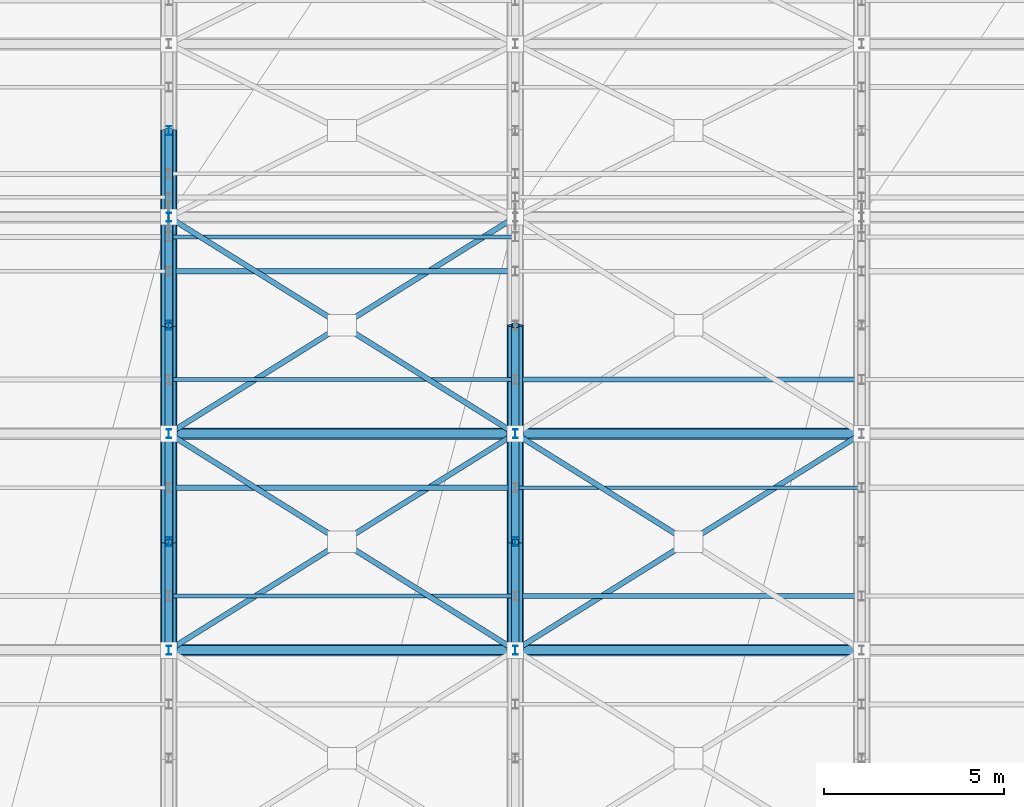
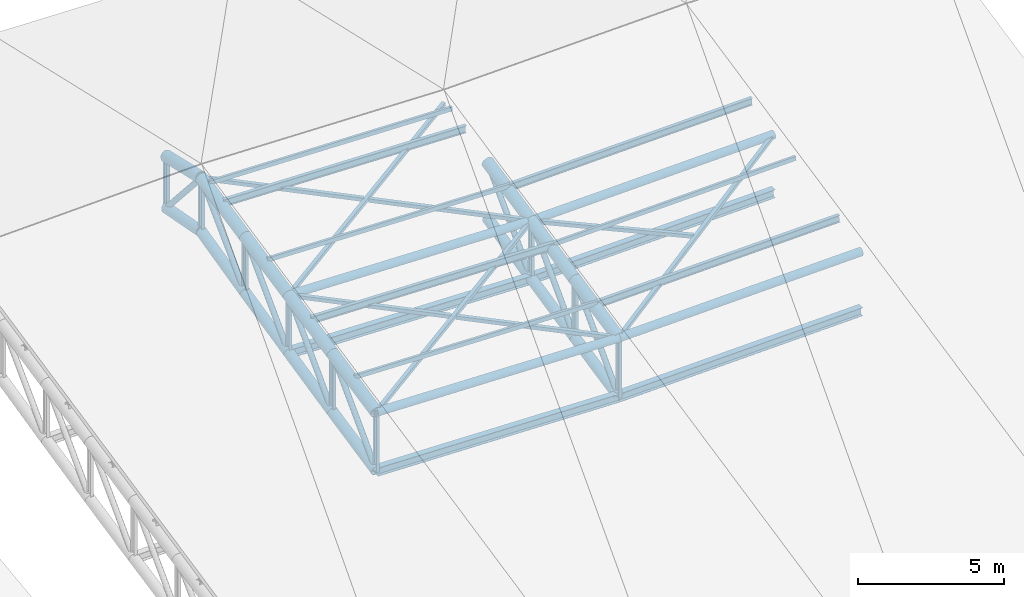
# One storey, part 46 of 109: 41 members, 16 beams.
"""IFC4 building model written with IfcOpenShell, lengths in metres."""

from ifc_helpers import new_model, si_unit, direction, frame, origin, origin_2d, place, context, subcontext, project, spatial, hollow_rectangle, hollow_circle, i_section, extrude, material, material_profile, profile_set, type_object, element, save


model = new_model("IFC4")

# Units and contexts
model_context = context("Model", 3, precision=1e-05, world=origin(), true_north=direction((0.0, 1.0)))
body_context = subcontext(model_context, "Body", "Model", "MODEL_VIEW")
ifc_project = project(units=[si_unit("LENGTHUNIT", "METRE"), si_unit("AREAUNIT", "SQUARE_METRE"), si_unit("VOLUMEUNIT", "CUBIC_METRE"), si_unit("PLANEANGLEUNIT", "RADIAN"), si_unit("MASSUNIT", "GRAM", prefix="KILO")], contexts=[model_context])

# Site, building, storey
site_placement = place(None, origin())
site = spatial("IfcSite", under=ifc_project, at=site_placement, CompositionType="ELEMENT")
building_placement = place(site_placement, origin())
building = spatial("IfcBuilding", under=site, at=building_placement, Name="Suirenkawa Promenade Aquatics Centre", CompositionType="ELEMENT")
storey_placement = place(building_placement, frame((0.0, 0.0, 22.800048828125)))
storey = spatial("IfcBuildingStorey", under=building, at=storey_placement, Name="ROOF", CompositionType="ELEMENT", Elevation=22.800048828125)

# Beams
ifc_material = material(Name="Steel IS 2062 E350 (Grade 350)", Category="steel")
ifc_material_profile_1 = material_profile(ifc_material, hollow_circle(Radius=0.202880859375, WallThickness=0.01806640625, at=origin_2d()), Name="CHS 406x18", Category="steel")
ifc_profile_set_1 = profile_set([ifc_material_profile_1], Name="Steel IS 2062 E350 (Grade 350)")
beam_type_1 = type_object("IfcBeamType", Name="BT-BC-CHS406", PredefinedType="BEAM", material=ifc_profile_set_1)
beam_1_placement = place(storey_placement, frame((165.60009765625, 74.39990234375, -6.16015625), z_axis=(0.0, 0.978259092623, 0.207386469424), x_axis=(-1.0, 0.0, 0.0)))
element("IfcBeam", 1, at=beam_1_placement, inside=storey, type_object=beam_type_1, Name="ROOF TRUSS V2 bottom chord BC-01 BM-2448", PredefinedType="BEAM", context=body_context, shape_type="SweptSolid", body=[
    extrude(hollow_circle(Radius=0.202880859375, WallThickness=0.01806640625, at=origin_2d()), origin(), (0.0, 0.0, 1.0), 3.066650390625),
])
beam_2_placement = place(storey_placement, frame((165.60009765625, 77.39990234375, -5.524169921875), z_axis=(0.0, 0.976147791937, 0.217107089466), x_axis=(-1.0, 0.0, 0.0)))
element("IfcBeam", 2, at=beam_2_placement, inside=storey, type_object=beam_type_1, Name="ROOF TRUSS V2 bottom chord BC-01 BM-2450", PredefinedType="BEAM", context=body_context, shape_type="SweptSolid", body=[
    extrude(hollow_circle(Radius=0.202880859375, WallThickness=0.01806640625, at=origin_2d()), origin(), (0.0, 0.0, 1.0), 3.0732421875),
])
beam_3_placement = place(storey_placement, frame((165.60009765625, 80.39990234375, -4.85693359375), z_axis=(0.0, 0.97398484084, 0.226613172197), x_axis=(-1.0, 0.0, 0.0)))
element("IfcBeam", 3, at=beam_3_placement, inside=storey, type_object=beam_type_1, Name="ROOF TRUSS V2 bottom chord BC-01 BM-2452", PredefinedType="BEAM", context=body_context, shape_type="SweptSolid", body=[
    extrude(hollow_circle(Radius=0.202880859375, WallThickness=0.01806640625, at=origin_2d()), origin(), (0.0, 0.0, 1.0), 3.080078125),
])
beam_4_placement = place(storey_placement, frame((165.60009765625, 83.39990234375, -4.158935546875), z_axis=(0.0, 0.972029299784, 0.234859618413), x_axis=(-1.0, 0.0, 0.0)))
element("IfcBeam", 4, at=beam_4_placement, inside=storey, type_object=beam_type_1, Name="ROOF TRUSS V2 bottom chord BC-01 BM-2454", PredefinedType="BEAM", context=body_context, shape_type="SweptSolid", body=[
    extrude(hollow_circle(Radius=0.202880859375, WallThickness=0.01806640625, at=origin_2d()), origin(), (0.0, 0.0, 1.0), 3.08642578125),
])
beam_5_placement = place(storey_placement, frame((165.60009765625, 86.39990234375, -3.43408203125), z_axis=(0.0, 0.982275543956, -0.187442673224), x_axis=(-1.0, 0.0, 0.0)))
element("IfcBeam", 5, at=beam_5_placement, inside=storey, type_object=beam_type_1, Name="ROOF TRUSS V2 bottom chord BC-01 BM-2456", PredefinedType="BEAM", context=body_context, shape_type="SweptSolid", body=[
    extrude(hollow_circle(Radius=0.202880859375, WallThickness=0.01806640625, at=origin_2d()), origin(), (0.0, 0.0, 1.0), 2.443359375),
])
beam_6_placement = place(storey_placement, frame((175.199951171875, 74.39990234375, -6.41015625), z_axis=(0.0, 0.978259092623, 0.207386469424), x_axis=(-1.0, 0.0, 0.0)))
element("IfcBeam", 6, at=beam_6_placement, inside=storey, type_object=beam_type_1, Name="ROOF TRUSS V2 bottom chord BC-01 BM-2484", PredefinedType="BEAM", context=body_context, shape_type="SweptSolid", body=[
    extrude(hollow_circle(Radius=0.202880859375, WallThickness=0.01806640625, at=origin_2d()), origin(), (0.0, 0.0, 1.0), 3.066650390625),
])
beam_7_placement = place(storey_placement, frame((175.199951171875, 77.39990234375, -5.774169921875), z_axis=(0.0, 0.976147791937, 0.217107089466), x_axis=(-1.0, 0.0, 0.0)))
element("IfcBeam", 7, at=beam_7_placement, inside=storey, type_object=beam_type_1, Name="ROOF TRUSS V2 bottom chord BC-01 BM-2486", PredefinedType="BEAM", context=body_context, shape_type="SweptSolid", body=[
    extrude(hollow_circle(Radius=0.202880859375, WallThickness=0.01806640625, at=origin_2d()), origin(), (0.0, 0.0, 1.0), 3.0732421875),
])
beam_8_placement = place(storey_placement, frame((175.199951171875, 80.39990234375, -5.10693359375), z_axis=(0.0, 0.97398484084, 0.226613172197), x_axis=(-1.0, 0.0, 0.0)))
element("IfcBeam", 8, at=beam_8_placement, inside=storey, type_object=beam_type_1, Name="ROOF TRUSS V2 bottom chord BC-01 BM-2488", PredefinedType="BEAM", context=body_context, shape_type="SweptSolid", body=[
    extrude(hollow_circle(Radius=0.202880859375, WallThickness=0.01806640625, at=origin_2d()), origin(), (0.0, 0.0, 1.0), 3.080078125),
])
ifc_material_profile_2 = material_profile(ifc_material, hollow_circle(Radius=0.22900390625, WallThickness=0.02001953125, at=origin_2d()), Name="CHS 458x20", Category="steel")
ifc_profile_set_2 = profile_set([ifc_material_profile_2], Name="Steel IS 2062 E350 (Grade 350)")
beam_type_2 = type_object("IfcBeamType", Name="BT-TC-CHS458", PredefinedType="BEAM", material=ifc_profile_set_2)
for number, where, z_axis, x_axis, name in (
    (9, (165.60009765625, 74.39990234375, -3.713134765625), (0.0, 0.978452518953, 0.206471954886), (-1.0, 0.0, 0.0), "ROOF TRUSS V2 top chord TC-01 BM-2447"),
    (10, (165.60009765625, 77.39990234375, -3.080078125), (0.0, 0.978452518953, 0.206471954886), (-1.0, 0.0, 0.0), "ROOF TRUSS V2 top chord TC-01 BM-2449"),
    (11, (165.60009765625, 80.39990234375, -2.447021484375), (0.0, 0.978388130003, 0.206776853322), (-1.0, 0.0, 0.0), "ROOF TRUSS V2 top chord TC-01 BM-2451"),
    (12, (165.60009765625, 83.39990234375, -1.81298828125), (0.0, 0.978452518953, 0.206471954886), (-1.0, 0.0, 0.0), "ROOF TRUSS V2 top chord TC-01 BM-2453"),
):
    element("IfcBeam", number, at=place(storey_placement, frame(where, z_axis=z_axis, x_axis=x_axis)), inside=storey, type_object=beam_type_2, Name=name, PredefinedType="BEAM", context=body_context, shape_type="SweptSolid", body=[
        extrude(hollow_circle(Radius=0.22900390625, WallThickness=0.02001953125, at=origin_2d()), origin(), (0.0, 0.0, 1.0), 3.066162109375),
    ])
beam_9_placement = place(storey_placement, frame((165.60009765625, 86.39990234375, -1.179931640625), z_axis=(0.0, 0.97473096927, -0.223382043919), x_axis=(-1.0, 0.0, 0.0)))
element("IfcBeam", 13, at=beam_9_placement, inside=storey, type_object=beam_type_2, Name="ROOF TRUSS V2 top chord TC-01 BM-2455", PredefinedType="BEAM", context=body_context, shape_type="SweptSolid", body=[
    extrude(hollow_circle(Radius=0.22900390625, WallThickness=0.02001953125, at=origin_2d()), origin(), (0.0, 0.0, 1.0), 2.46240234375),
])
for number, where, z_axis, x_axis, name in (
    (14, (175.199951171875, 74.39990234375, -3.963134765625), (0.0, 0.978452518953, 0.206471954886), (-1.0, 0.0, 0.0), "ROOF TRUSS V2 top chord TC-01 BM-2483"),
    (15, (175.199951171875, 77.39990234375, -3.330078125), (0.0, 0.978452518953, 0.206471954886), (-1.0, 0.0, 0.0), "ROOF TRUSS V2 top chord TC-01 BM-2485"),
    (16, (175.199951171875, 80.39990234375, -2.697021484375), (0.0, 0.978388130003, 0.206776853322), (-1.0, 0.0, 0.0), "ROOF TRUSS V2 top chord TC-01 BM-2487"),
):
    element("IfcBeam", number, at=place(storey_placement, frame(where, z_axis=z_axis, x_axis=x_axis)), inside=storey, type_object=beam_type_2, Name=name, PredefinedType="BEAM", context=body_context, shape_type="SweptSolid", body=[
        extrude(hollow_circle(Radius=0.22900390625, WallThickness=0.02001953125, at=origin_2d()), origin(), (0.0, 0.0, 1.0), 3.066162109375),
    ])

# Members
ifc_material_profile_3 = material_profile(ifc_material, hollow_rectangle(XDim=0.14990234375, YDim=0.14990234375, WallThickness=0.008056640625, at=origin_2d()), Name="SHS 150x150x8", Category="steel")
ifc_profile_set_3 = profile_set([ifc_material_profile_3], Name="Steel IS 2062 E350 (Grade 350)")
member_type_1 = type_object("IfcMemberType", Name="MT-BRACE-SHS150", PredefinedType="BRACE", material=ifc_profile_set_3)
member_1_placement = place(storey_placement, frame((165.60009765625, 74.39990234375, -3.713134765625), z_axis=(0.844599277319, 0.527882603173, 0.089398087338), x_axis=(-0.530004755527, 0.847994669275, 0.0)))
element("IfcMember", 17, at=member_1_placement, inside=storey, type_object=member_type_1, Name="ROOF TRUSS V2 continuous plan brace BF-02 MB-1243", PredefinedType="BRACE", context=body_context, shape_type="SweptSolid", body=[
    extrude(hollow_rectangle(XDim=0.14990234375, YDim=0.14990234375, WallThickness=0.008056640625, at=origin_2d()), origin(), (0.0, 0.0, 1.0), 11.3662109375),
])
member_2_placement = place(storey_placement, frame((175.199951171875, 74.39990234375, -3.963134765625), z_axis=(-0.840533125501, 0.525235567944, 0.132784272795), x_axis=(-0.529928101095, -0.848042574208, 0.0)))
element("IfcMember", 18, at=member_2_placement, inside=storey, type_object=member_type_1, Name="ROOF TRUSS V2 split plan brace A BF-02 MB-1244", PredefinedType="BRACE", context=body_context, shape_type="SweptSolid", body=[
    extrude(hollow_rectangle(XDim=0.14990234375, YDim=0.14990234375, WallThickness=0.008056640625, at=origin_2d()), origin(), (0.0, 0.0, 1.0), 5.626220703125),
])
member_3_placement = place(storey_placement, frame((170.3291015625, 77.445068359375, -3.194091796875), z_axis=(-0.840552282659, 0.5252041444, 0.132787299171), x_axis=(-0.529896613575, -0.848062249438, 0.0)))
element("IfcMember", 19, at=member_3_placement, inside=storey, type_object=member_type_1, Name="ROOF TRUSS V2 split plan brace B BF-02 MB-1245", PredefinedType="BRACE", context=body_context, shape_type="SweptSolid", body=[
    extrude(hollow_rectangle(XDim=0.14990234375, YDim=0.14990234375, WallThickness=0.008056640625, at=origin_2d()), origin(), (0.0, 0.0, 1.0), 5.6259765625),
])
member_4_placement = place(storey_placement, frame((165.60009765625, 80.39990234375, -2.447021484375), z_axis=(0.84459278696, 0.527878546637, 0.089483318086), x_axis=(-0.530004755527, 0.847994669275, 0.0)))
element("IfcMember", 20, at=member_4_placement, inside=storey, type_object=member_type_1, Name="ROOF TRUSS V2 continuous plan brace BF-02 MB-1246", PredefinedType="BRACE", context=body_context, shape_type="SweptSolid", body=[
    extrude(hollow_rectangle(XDim=0.14990234375, YDim=0.14990234375, WallThickness=0.008056640625, at=origin_2d()), origin(), (0.0, 0.0, 1.0), 11.3662109375),
])
member_5_placement = place(storey_placement, frame((175.199951171875, 80.39990234375, -2.697021484375), z_axis=(-0.840533125501, 0.525235567944, 0.132784272795), x_axis=(-0.529928101095, -0.848042574208, 0.0)))
element("IfcMember", 21, at=member_5_placement, inside=storey, type_object=member_type_1, Name="ROOF TRUSS V2 split plan brace A BF-02 MB-1247", PredefinedType="BRACE", context=body_context, shape_type="SweptSolid", body=[
    extrude(hollow_rectangle(XDim=0.14990234375, YDim=0.14990234375, WallThickness=0.008056640625, at=origin_2d()), origin(), (0.0, 0.0, 1.0), 5.626220703125),
])
member_6_placement = place(storey_placement, frame((170.3291015625, 83.445068359375, -1.927001953125), z_axis=(-0.840552282659, 0.5252041444, 0.132787299171), x_axis=(-0.529896613575, -0.848062249438, 0.0)))
element("IfcMember", 22, at=member_6_placement, inside=storey, type_object=member_type_1, Name="ROOF TRUSS V2 split plan brace B BF-02 MB-1248", PredefinedType="BRACE", context=body_context, shape_type="SweptSolid", body=[
    extrude(hollow_rectangle(XDim=0.14990234375, YDim=0.14990234375, WallThickness=0.008056640625, at=origin_2d()), origin(), (0.0, 0.0, 1.0), 5.6259765625),
])
member_7_placement = place(storey_placement, frame((175.199951171875, 74.39990234375, -3.963134765625), z_axis=(0.840497012339, 0.52530528903, 0.132737054235), x_axis=(-0.529995063044, 0.848000727092, 0.0)))
element("IfcMember", 23, at=member_7_placement, inside=storey, type_object=member_type_1, Name="ROOF TRUSS V2 continuous plan brace BF-02 MB-1264", PredefinedType="BRACE", context=body_context, shape_type="SweptSolid", body=[
    extrude(hollow_rectangle(XDim=0.14990234375, YDim=0.14990234375, WallThickness=0.008056640625, at=origin_2d()), origin(), (0.0, 0.0, 1.0), 11.421875),
])
member_8_placement = place(storey_placement, frame((179.927978515625, 77.445068359375, -3.197021484375), z_axis=(-0.844623469677, 0.527856958252, 0.089320916343), x_axis=(-0.529975323389, -0.848013063931, 0.0)))
element("IfcMember", 24, at=member_8_placement, inside=storey, type_object=member_type_1, Name="ROOF TRUSS V2 split plan brace B BF-02 MB-1266", PredefinedType="BRACE", context=body_context, shape_type="SweptSolid", body=[
    extrude(hollow_rectangle(XDim=0.14990234375, YDim=0.14990234375, WallThickness=0.008056640625, at=origin_2d()), origin(), (0.0, 0.0, 1.0), 5.597900390625),
])
ifc_material_profile_4 = material_profile(ifc_material, hollow_circle(Radius=0.162109375, WallThickness=0.013916015625, at=origin_2d()), Name="CHS 324x14", Category="steel")
ifc_profile_set_4 = profile_set([ifc_material_profile_4], Name="Steel IS 2062 E350 (Grade 350)")
member_type_2 = type_object("IfcMemberType", Name="MT-CHORD-CHS324", PredefinedType="CHORD", material=ifc_profile_set_4)
member_9_placement = place(storey_placement, frame((165.60009765625, 74.39990234375, -3.713134765625), z_axis=(0.999661077831, 0.0, -0.026033237804), x_axis=(0.0, 1.0, 0.0)))
element("IfcMember", 25, at=member_9_placement, inside=storey, type_object=member_type_2, Name="ROOF TRUSS V2 tie chord CH-01 MB-1196", PredefinedType="CHORD", context=body_context, shape_type="SweptSolid", body=[
    extrude(hollow_circle(Radius=0.162109375, WallThickness=0.013916015625, at=origin_2d()), origin(), (0.0, 0.0, 1.0), 9.60302734375),
])
member_10_placement = place(storey_placement, frame((175.199951171875, 74.39990234375, -3.963134765625), z_axis=(0.99966109506, 0.0, 0.0260325762), x_axis=(0.0, 1.0, 0.0)))
element("IfcMember", 26, at=member_10_placement, inside=storey, type_object=member_type_2, Name="ROOF TRUSS V2 tie chord CH-01 MB-1198", PredefinedType="CHORD", context=body_context, shape_type="SweptSolid", body=[
    extrude(hollow_circle(Radius=0.162109375, WallThickness=0.013916015625, at=origin_2d()), origin(), (0.0, 0.0, 1.0), 9.603271484375),
])
member_11_placement = place(storey_placement, frame((165.60009765625, 80.39990234375, -2.447021484375), z_axis=(0.999661077831, 0.0, -0.026033237804), x_axis=(0.0, 1.0, 0.0)))
element("IfcMember", 27, at=member_11_placement, inside=storey, type_object=member_type_2, Name="ROOF TRUSS V2 tie chord CH-01 MB-1204", PredefinedType="CHORD", context=body_context, shape_type="SweptSolid", body=[
    extrude(hollow_circle(Radius=0.162109375, WallThickness=0.013916015625, at=origin_2d()), origin(), (0.0, 0.0, 1.0), 9.60302734375),
])
member_12_placement = place(storey_placement, frame((175.199951171875, 80.39990234375, -2.697021484375), z_axis=(0.99966109506, 0.0, 0.0260325762), x_axis=(0.0, 1.0, 0.0)))
element("IfcMember", 28, at=member_12_placement, inside=storey, type_object=member_type_2, Name="ROOF TRUSS V2 tie chord CH-01 MB-1206", PredefinedType="CHORD", context=body_context, shape_type="SweptSolid", body=[
    extrude(hollow_circle(Radius=0.162109375, WallThickness=0.013916015625, at=origin_2d()), origin(), (0.0, 0.0, 1.0), 9.603271484375),
])
ifc_material_profile_5 = material_profile(ifc_material, i_section(OverallWidth=0.25, OverallDepth=0.35009765625, WebThickness=0.010009765625, FlangeThickness=0.011962890625, at=origin_2d()), Name="ISHB 350", Category="steel")
ifc_profile_set_5 = profile_set([ifc_material_profile_5], Name="Steel IS 2062 E350 (Grade 350)")
member_type_3 = type_object("IfcMemberType", Name="MT-CHORD-ISHB350", PredefinedType="CHORD", material=ifc_profile_set_5)
member_13_placement = place(storey_placement, frame((165.60009765625, 74.39990234375, -6.16015625), z_axis=(0.999661077831, 0.0, -0.026033237804), x_axis=(0.0, 1.0, 0.0)))
element("IfcMember", 29, at=member_13_placement, inside=storey, type_object=member_type_3, Name="ROOF TRUSS V2 bottom tie CH-04 MB-1197", PredefinedType="CHORD", context=body_context, shape_type="SweptSolid", body=[
    extrude(i_section(OverallWidth=0.25, OverallDepth=0.35009765625, WebThickness=0.010009765625, FlangeThickness=0.011962890625, at=origin_2d()), origin(), (0.0, 0.0, 1.0), 9.60302734375),
])
member_14_placement = place(storey_placement, frame((175.199951171875, 74.39990234375, -6.41015625), z_axis=(0.99966109506, 0.0, 0.0260325762), x_axis=(0.0, 1.0, 0.0)))
element("IfcMember", 30, at=member_14_placement, inside=storey, type_object=member_type_3, Name="ROOF TRUSS V2 bottom tie CH-04 MB-1199", PredefinedType="CHORD", context=body_context, shape_type="SweptSolid", body=[
    extrude(i_section(OverallWidth=0.25, OverallDepth=0.35009765625, WebThickness=0.010009765625, FlangeThickness=0.011962890625, at=origin_2d()), origin(), (0.0, 0.0, 1.0), 9.603271484375),
])
member_15_placement = place(storey_placement, frame((165.60009765625, 80.39990234375, -4.85693359375), z_axis=(0.999661077831, 0.0, -0.026033237804), x_axis=(0.0, 1.0, 0.0)))
element("IfcMember", 31, at=member_15_placement, inside=storey, type_object=member_type_3, Name="ROOF TRUSS V2 bottom tie CH-04 MB-1205", PredefinedType="CHORD", context=body_context, shape_type="SweptSolid", body=[
    extrude(i_section(OverallWidth=0.25, OverallDepth=0.35009765625, WebThickness=0.010009765625, FlangeThickness=0.011962890625, at=origin_2d()), origin(), (0.0, 0.0, 1.0), 9.60302734375),
])
member_16_placement = place(storey_placement, frame((175.199951171875, 80.39990234375, -5.10693359375), z_axis=(0.99966109506, 0.0, 0.0260325762), x_axis=(0.0, 1.0, 0.0)))
element("IfcMember", 32, at=member_16_placement, inside=storey, type_object=member_type_3, Name="ROOF TRUSS V2 bottom tie CH-04 MB-1207", PredefinedType="CHORD", context=body_context, shape_type="SweptSolid", body=[
    extrude(i_section(OverallWidth=0.25, OverallDepth=0.35009765625, WebThickness=0.010009765625, FlangeThickness=0.011962890625, at=origin_2d()), origin(), (0.0, 0.0, 1.0), 9.603271484375),
])
ifc_material_profile_6 = material_profile(ifc_material, i_section(OverallWidth=0.139892578125, OverallDepth=0.300048828125, WebThickness=0.008056640625, FlangeThickness=0.012939453125, at=origin_2d()), Name="ISMB 300", Category="steel")
ifc_profile_set_6 = profile_set([ifc_material_profile_6], Name="Steel IS 2062 E350 (Grade 350)")
member_type_4 = type_object("IfcMemberType", Name="MT-PURLIN-ISMB300", PredefinedType="PURLIN", material=ifc_profile_set_6)
for number, where, z_axis, x_axis, name in (
    (33, (165.60009765625, 78.89990234375, -2.5771484375), (0.999661077831, 0.0, -0.026033237804), (0.0, 1.0, 0.0), "ROOF TRUSS Roof purlin PU-05 MB-2493"),
    (34, (165.60009765625, 84.89990234375, -1.31005859375), (0.999661077831, 0.0, -0.026033237804), (0.0, 1.0, 0.0), "ROOF TRUSS Roof purlin PU-05 MB-2497"),
):
    element("IfcMember", number, at=place(storey_placement, frame(where, z_axis=z_axis, x_axis=x_axis)), inside=storey, type_object=member_type_4, Name=name, PredefinedType="PURLIN", context=body_context, shape_type="SweptSolid", body=[
        extrude(i_section(OverallWidth=0.139892578125, OverallDepth=0.300048828125, WebThickness=0.008056640625, FlangeThickness=0.012939453125, at=origin_2d()), origin(), (0.0, 0.0, 1.0), 9.60302734375),
    ])
for number, where, z_axis, x_axis, name in (
    (35, (175.199951171875, 75.89990234375, -3.4599609375), (0.99966109506, 0.0, 0.0260325762), (0.0, 1.0, 0.0), "ROOF TRUSS Roof purlin PU-05 MB-2535"),
    (36, (175.199951171875, 81.89990234375, -2.194091796875), (0.99966109506, 0.0, 0.0260325762), (0.0, 1.0, 0.0), "ROOF TRUSS Roof purlin PU-05 MB-2539"),
):
    element("IfcMember", number, at=place(storey_placement, frame(where, z_axis=z_axis, x_axis=x_axis)), inside=storey, type_object=member_type_4, Name=name, PredefinedType="PURLIN", context=body_context, shape_type="SweptSolid", body=[
        extrude(i_section(OverallWidth=0.139892578125, OverallDepth=0.300048828125, WebThickness=0.008056640625, FlangeThickness=0.012939453125, at=origin_2d()), origin(), (0.0, 0.0, 1.0), 9.603271484375),
    ])
ifc_material_profile_7 = material_profile(ifc_material, hollow_rectangle(XDim=0.10009765625, YDim=0.179931640625, WallThickness=0.008056640625, at=origin_2d()), Name="RHS 180x100x8", Category="steel")
ifc_profile_set_7 = profile_set([ifc_material_profile_7], Name="Steel IS 2062 E350 (Grade 350)")
member_type_5 = type_object("IfcMemberType", Name="MT-PURLIN-RHS180", PredefinedType="PURLIN", material=ifc_profile_set_7)
for number, where, z_axis, x_axis, name in (
    (37, (165.60009765625, 75.89990234375, -3.14599609375), (0.999661077831, 0.0, -0.026033237804), (0.0, 1.0, 0.0), "ROOF TRUSS Roof purlin PU-01 MB-2491"),
    (38, (165.60009765625, 81.89990234375, -1.879150390625), (0.999661077831, 0.0, -0.026033237804), (0.0, 1.0, 0.0), "ROOF TRUSS Roof purlin PU-01 MB-2495"),
    (39, (165.60009765625, 85.85009765625, -1.045166015625), (0.999661077831, 0.0, -0.026033237804), (0.0, 1.0, 0.0), "ROOF TRUSS Roof purlin PU-01 MB-2499"),
):
    element("IfcMember", number, at=place(storey_placement, frame(where, z_axis=z_axis, x_axis=x_axis)), inside=storey, type_object=member_type_5, Name=name, PredefinedType="PURLIN", context=body_context, shape_type="SweptSolid", body=[
        extrude(hollow_rectangle(XDim=0.10009765625, YDim=0.179931640625, WallThickness=0.008056640625, at=origin_2d()), origin(), (0.0, 0.0, 1.0), 9.60302734375),
    ])
member_17_placement = place(storey_placement, frame((175.199951171875, 78.89990234375, -2.762939453125), z_axis=(0.99966109506, 0.0, 0.0260325762), x_axis=(0.0, 1.0, 0.0)))
element("IfcMember", 40, at=member_17_placement, inside=storey, type_object=member_type_5, Name="ROOF TRUSS Roof purlin PU-01 MB-2537", PredefinedType="PURLIN", context=body_context, shape_type="SweptSolid", body=[
    extrude(hollow_rectangle(XDim=0.10009765625, YDim=0.179931640625, WallThickness=0.008056640625, at=origin_2d()), origin(), (0.0, 0.0, 1.0), 9.603271484375),
])
ifc_material_profile_8 = material_profile(ifc_material, i_section(OverallWidth=0.125, OverallDepth=0.25, WebThickness=0.007080078125, FlangeThickness=0.012939453125, at=origin_2d()), Name="ISMB 250", Category="steel")
ifc_profile_set_8 = profile_set([ifc_material_profile_8], Name="Steel IS 2062 E350 (Grade 350)")
member_type_6 = type_object("IfcMemberType", Name="MT-WEB-CHS168", PredefinedType="BRACE", material=ifc_profile_set_8)
member_18_placement = place(storey_placement, frame((165.60009765625, 74.39990234375, -6.16015625), z_axis=(0.0, 0.0, 1.0), x_axis=(1.0, 0.0, 0.0)))
element("IfcMember", 41, at=member_18_placement, inside=storey, type_object=member_type_6, Name="ROOF TRUSS V2 web post TD-03 MB-1031", PredefinedType="BRACE", context=body_context, shape_type="SweptSolid", body=[
    extrude(i_section(OverallWidth=0.125, OverallDepth=0.25, WebThickness=0.007080078125, FlangeThickness=0.012939453125, at=origin_2d()), origin(), (0.0, 0.0, 1.0), 2.447021484375),
])
member_19_placement = place(storey_placement, frame((165.60009765625, 77.39990234375, -5.524169921875), z_axis=(0.0, 0.0, 1.0), x_axis=(1.0, 0.0, 0.0)))
element("IfcMember", 42, at=member_19_placement, inside=storey, type_object=member_type_6, Name="ROOF TRUSS V2 web post TD-03 MB-1032", PredefinedType="BRACE", context=body_context, shape_type="SweptSolid", body=[
    extrude(i_section(OverallWidth=0.125, OverallDepth=0.25, WebThickness=0.007080078125, FlangeThickness=0.012939453125, at=origin_2d()), origin(), (0.0, 0.0, 1.0), 2.444091796875),
])
member_20_placement = place(storey_placement, frame((165.60009765625, 80.39990234375, -4.85693359375), z_axis=(0.0, 0.0, 1.0), x_axis=(1.0, 0.0, 0.0)))
element("IfcMember", 43, at=member_20_placement, inside=storey, type_object=member_type_6, Name="ROOF TRUSS V2 web post TD-03 MB-1033", PredefinedType="BRACE", context=body_context, shape_type="SweptSolid", body=[
    extrude(i_section(OverallWidth=0.125, OverallDepth=0.25, WebThickness=0.007080078125, FlangeThickness=0.012939453125, at=origin_2d()), origin(), (0.0, 0.0, 1.0), 2.409912109375),
])
member_21_placement = place(storey_placement, frame((165.60009765625, 83.39990234375, -4.158935546875), z_axis=(0.0, 0.0, 1.0), x_axis=(1.0, 0.0, 0.0)))
element("IfcMember", 44, at=member_21_placement, inside=storey, type_object=member_type_6, Name="ROOF TRUSS V2 web post TD-03 MB-1034", PredefinedType="BRACE", context=body_context, shape_type="SweptSolid", body=[
    extrude(i_section(OverallWidth=0.125, OverallDepth=0.25, WebThickness=0.007080078125, FlangeThickness=0.012939453125, at=origin_2d()), origin(), (0.0, 0.0, 1.0), 2.345947265625),
])
member_22_placement = place(storey_placement, frame((165.60009765625, 86.39990234375, -3.43408203125), z_axis=(0.0, 0.0, 1.0), x_axis=(1.0, 0.0, 0.0)))
element("IfcMember", 45, at=member_22_placement, inside=storey, type_object=member_type_6, Name="ROOF TRUSS V2 web post TD-03 MB-1035", PredefinedType="BRACE", context=body_context, shape_type="SweptSolid", body=[
    extrude(i_section(OverallWidth=0.125, OverallDepth=0.25, WebThickness=0.007080078125, FlangeThickness=0.012939453125, at=origin_2d()), origin(), (0.0, 0.0, 1.0), 2.254150390625),
])
member_23_placement = place(storey_placement, frame((165.60009765625, 88.800048828125, -3.89208984375), z_axis=(0.0, 0.0, 1.0), x_axis=(1.0, 0.0, 0.0)))
element("IfcMember", 46, at=member_23_placement, inside=storey, type_object=member_type_6, Name="ROOF TRUSS V2 web post TD-03 MB-1036", PredefinedType="BRACE", context=body_context, shape_type="SweptSolid", body=[
    extrude(i_section(OverallWidth=0.125, OverallDepth=0.25, WebThickness=0.007080078125, FlangeThickness=0.012939453125, at=origin_2d()), origin(), (0.0, 0.0, 1.0), 2.162109375),
])
member_24_placement = place(storey_placement, frame((175.199951171875, 74.39990234375, -6.41015625), z_axis=(0.0, 0.0, 1.0), x_axis=(1.0, 0.0, 0.0)))
element("IfcMember", 47, at=member_24_placement, inside=storey, type_object=member_type_6, Name="ROOF TRUSS V2 web post TD-03 MB-1066", PredefinedType="BRACE", context=body_context, shape_type="SweptSolid", body=[
    extrude(i_section(OverallWidth=0.125, OverallDepth=0.25, WebThickness=0.007080078125, FlangeThickness=0.012939453125, at=origin_2d()), origin(), (0.0, 0.0, 1.0), 2.447021484375),
])
member_25_placement = place(storey_placement, frame((175.199951171875, 77.39990234375, -5.774169921875), z_axis=(0.0, 0.0, 1.0), x_axis=(1.0, 0.0, 0.0)))
element("IfcMember", 48, at=member_25_placement, inside=storey, type_object=member_type_6, Name="ROOF TRUSS V2 web post TD-03 MB-1067", PredefinedType="BRACE", context=body_context, shape_type="SweptSolid", body=[
    extrude(i_section(OverallWidth=0.125, OverallDepth=0.25, WebThickness=0.007080078125, FlangeThickness=0.012939453125, at=origin_2d()), origin(), (0.0, 0.0, 1.0), 2.444091796875),
])
member_26_placement = place(storey_placement, frame((175.199951171875, 80.39990234375, -5.10693359375), z_axis=(0.0, 0.0, 1.0), x_axis=(1.0, 0.0, 0.0)))
element("IfcMember", 49, at=member_26_placement, inside=storey, type_object=member_type_6, Name="ROOF TRUSS V2 web post TD-03 MB-1068", PredefinedType="BRACE", context=body_context, shape_type="SweptSolid", body=[
    extrude(i_section(OverallWidth=0.125, OverallDepth=0.25, WebThickness=0.007080078125, FlangeThickness=0.012939453125, at=origin_2d()), origin(), (0.0, 0.0, 1.0), 2.409912109375),
])
ifc_material_profile_9 = material_profile(ifc_material, hollow_circle(Radius=0.110107421875, WallThickness=0.010009765625, at=origin_2d()), Name="CHS 220x10", Category="steel")
ifc_profile_set_9 = profile_set([ifc_material_profile_9], Name="Steel IS 2062 E350 (Grade 350)")
member_type_7 = type_object("IfcMemberType", Name="MT-WEB-CHS220", PredefinedType="BRACE", material=ifc_profile_set_9)
member_27_placement = place(storey_placement, frame((165.60009765625, 74.39990234375, -6.16015625), z_axis=(0.0, 0.697733265093, 0.716357655632), x_axis=(-1.0, 0.0, 0.0)))
element("IfcMember", 50, at=member_27_placement, inside=storey, type_object=member_type_7, Name="ROOF TRUSS V2 web diagonal TD-01 MB-1014", PredefinedType="BRACE", context=body_context, shape_type="SweptSolid", body=[
    extrude(hollow_circle(Radius=0.110107421875, WallThickness=0.010009765625, at=origin_2d()), origin(), (0.0, 0.0, 1.0), 4.299560546875),
])
member_28_placement = place(storey_placement, frame((165.60009765625, 77.39990234375, -5.524169921875), z_axis=(0.0, 0.698073924339, 0.71602569518), x_axis=(-1.0, 0.0, 0.0)))
element("IfcMember", 51, at=member_28_placement, inside=storey, type_object=member_type_7, Name="ROOF TRUSS V2 web diagonal TD-01 MB-1015", PredefinedType="BRACE", context=body_context, shape_type="SweptSolid", body=[
    extrude(hollow_circle(Radius=0.110107421875, WallThickness=0.010009765625, at=origin_2d()), origin(), (0.0, 0.0, 1.0), 4.297607421875),
])
member_29_placement = place(storey_placement, frame((165.60009765625, 80.39990234375, -4.85693359375), z_axis=(0.0, 0.70194687816, 0.712229303133), x_axis=(-1.0, 0.0, 0.0)))
element("IfcMember", 52, at=member_29_placement, inside=storey, type_object=member_type_7, Name="ROOF TRUSS V2 web diagonal TD-01 MB-1016", PredefinedType="BRACE", context=body_context, shape_type="SweptSolid", body=[
    extrude(hollow_circle(Radius=0.110107421875, WallThickness=0.010009765625, at=origin_2d()), origin(), (0.0, 0.0, 1.0), 4.27392578125),
])
member_30_placement = place(storey_placement, frame((165.60009765625, 83.39990234375, -4.158935546875), z_axis=(0.0, 0.709585508659, 0.704619334038), x_axis=(-1.0, 0.0, 0.0)))
element("IfcMember", 53, at=member_30_placement, inside=storey, type_object=member_type_7, Name="ROOF TRUSS V2 web diagonal TD-01 MB-1017", PredefinedType="BRACE", context=body_context, shape_type="SweptSolid", body=[
    extrude(hollow_circle(Radius=0.110107421875, WallThickness=0.010009765625, at=origin_2d()), origin(), (0.0, 0.0, 1.0), 4.227783203125),
])
member_31_placement = place(storey_placement, frame((165.60009765625, 86.39990234375, -1.179931640625), z_axis=(0.0, 0.662717866638, -0.74886916697), x_axis=(-1.0, 0.0, 0.0)))
element("IfcMember", 54, at=member_31_placement, inside=storey, type_object=member_type_7, Name="ROOF TRUSS V2 web diagonal TD-01 MB-1018", PredefinedType="BRACE", context=body_context, shape_type="SweptSolid", body=[
    extrude(hollow_circle(Radius=0.110107421875, WallThickness=0.010009765625, at=origin_2d()), origin(), (0.0, 0.0, 1.0), 3.62158203125),
])
member_32_placement = place(storey_placement, frame((175.199951171875, 74.39990234375, -6.41015625), z_axis=(0.0, 0.697733265093, 0.716357655632), x_axis=(-1.0, 0.0, 0.0)))
element("IfcMember", 55, at=member_32_placement, inside=storey, type_object=member_type_7, Name="ROOF TRUSS V2 web diagonal TD-01 MB-1049", PredefinedType="BRACE", context=body_context, shape_type="SweptSolid", body=[
    extrude(hollow_circle(Radius=0.110107421875, WallThickness=0.010009765625, at=origin_2d()), origin(), (0.0, 0.0, 1.0), 4.299560546875),
])
member_33_placement = place(storey_placement, frame((175.199951171875, 77.39990234375, -5.774169921875), z_axis=(0.0, 0.698073924339, 0.71602569518), x_axis=(-1.0, 0.0, 0.0)))
element("IfcMember", 56, at=member_33_placement, inside=storey, type_object=member_type_7, Name="ROOF TRUSS V2 web diagonal TD-01 MB-1050", PredefinedType="BRACE", context=body_context, shape_type="SweptSolid", body=[
    extrude(hollow_circle(Radius=0.110107421875, WallThickness=0.010009765625, at=origin_2d()), origin(), (0.0, 0.0, 1.0), 4.297607421875),
])
member_34_placement = place(storey_placement, frame((175.199951171875, 80.39990234375, -5.10693359375), z_axis=(0.0, 0.70194687816, 0.712229303133), x_axis=(-1.0, 0.0, 0.0)))
element("IfcMember", 57, at=member_34_placement, inside=storey, type_object=member_type_7, Name="ROOF TRUSS V2 web diagonal TD-01 MB-1051", PredefinedType="BRACE", context=body_context, shape_type="SweptSolid", body=[
    extrude(hollow_circle(Radius=0.110107421875, WallThickness=0.010009765625, at=origin_2d()), origin(), (0.0, 0.0, 1.0), 4.27392578125),
])

save(model, "model.ifc")
